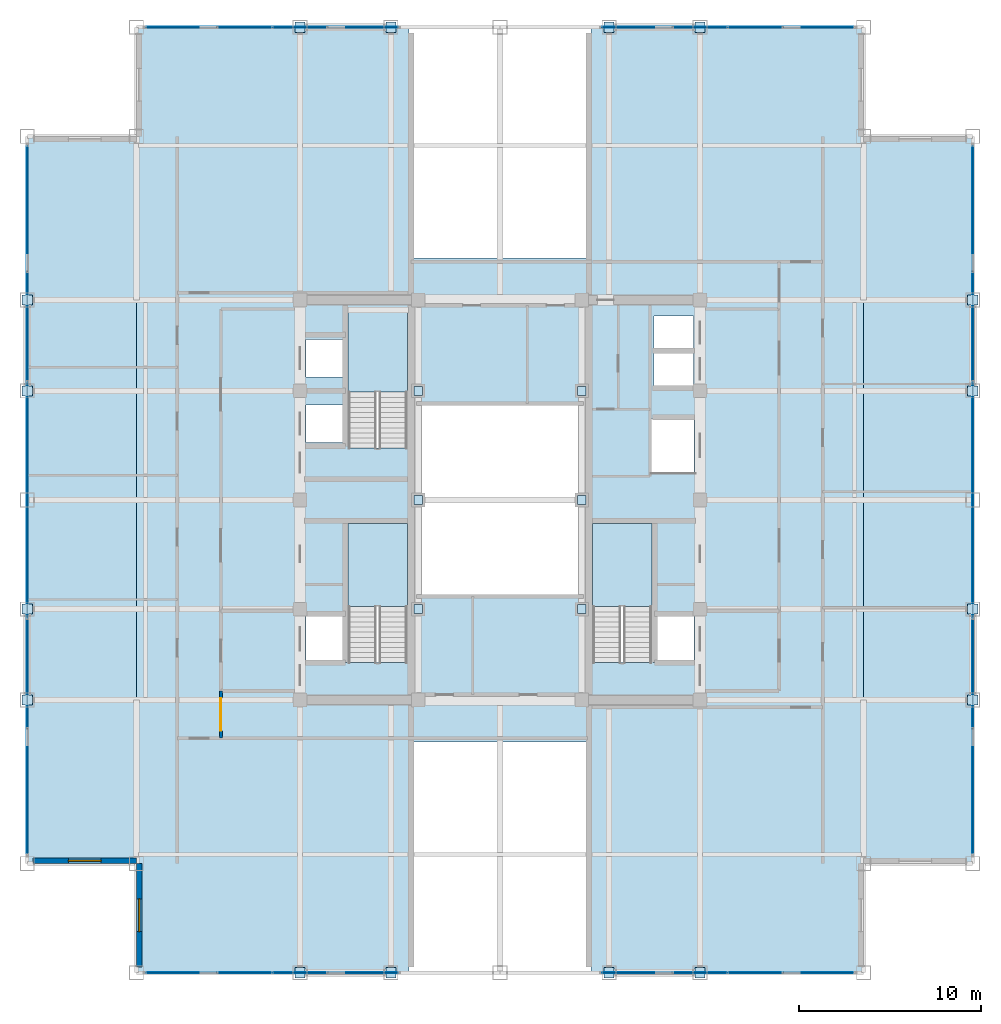
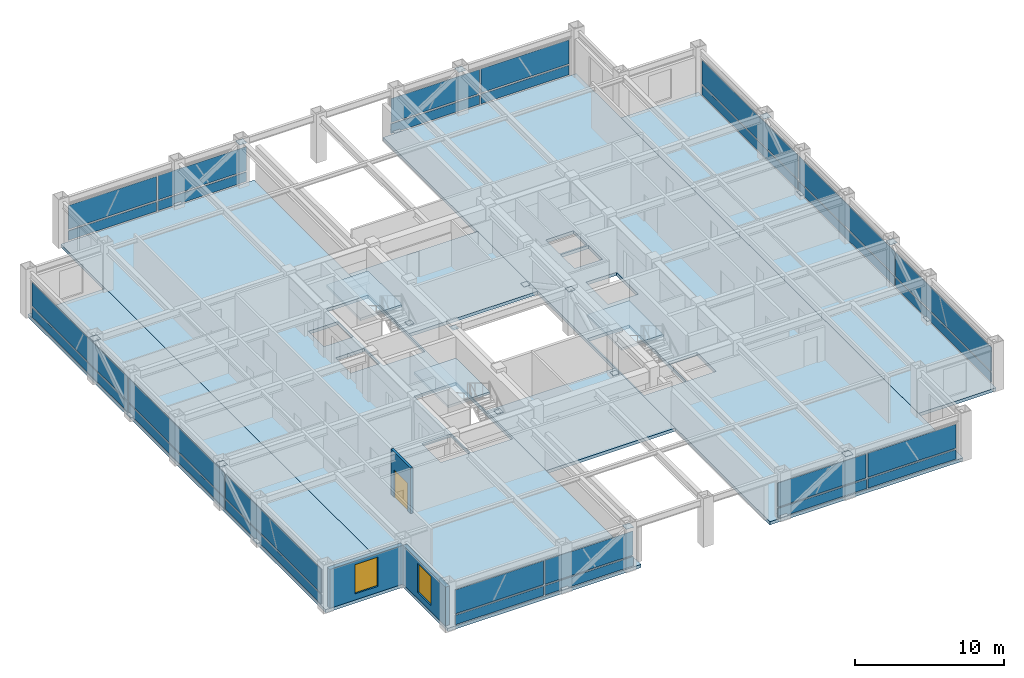
# One storey, part 24 of 29: 50 plates, 9 slabs, 3 walls, 2 windows, 1 door, 3 openings, 9 elements without a shape of their own.
"""IFC4 building model written with IfcOpenShell, lengths in metres."""

from ifc_helpers import new_model, si_unit, direction, frame, frame_2d, origin, origin_2d, place, context, subcontext, project, spatial, polyline, rectangle, outline, extrude, source, transform, mapped, material, layer, layer_set, type_object, element, fill, aggregate, save


model = new_model("IFC4")

# Units and contexts
model_context = context("Model", 3, precision=1e-05, world=origin(), true_north=direction((0.0, 1.0)))
body_context = subcontext(model_context, "Body", "Model", "MODEL_VIEW")
ifc_project = project(units=[si_unit("LENGTHUNIT", "METRE"), si_unit("AREAUNIT", "SQUARE_METRE"), si_unit("VOLUMEUNIT", "CUBIC_METRE"), si_unit("PLANEANGLEUNIT", "RADIAN"), si_unit("MASSUNIT", "GRAM", prefix="KILO")], contexts=[model_context])

# Site, building, storey
site_placement = place(None, origin())
site = spatial("IfcSite", under=ifc_project, at=site_placement, CompositionType="ELEMENT")
building_placement = place(site_placement, origin())
building = spatial("IfcBuilding", under=site, at=building_placement, Name="Khorayat Bourse Tower", CompositionType="ELEMENT")
storey_placement = place(building_placement, frame((0.0, 0.0, 354.300048828125)))
storey = spatial("IfcBuildingStorey", under=building, at=storey_placement, Name="L84", CompositionType="ELEMENT", Elevation=354.300048828125)

# Stair, slab
ifc_material_1 = material(Name="Concrete C40/50", Category="concrete")
stair_type = type_object("IfcStairType", Name="STR-CORE-1550", PredefinedType="HALF_TURN_STAIR", material=ifc_material_1)
stair_1_placement = place(storey_placement, origin())
stair_1 = element("IfcStair", 1, at=stair_1_placement, inside=storey, type_object=stair_type, Name="L84 Exit Stair ST-1", PredefinedType="HALF_TURN_STAIR")
ifc_layer_1 = layer(ifc_material_1, 0.199951171875)
ifc_layer_set_1 = layer_set([ifc_layer_1], Name="Concrete C40/50")
slab_type_1 = type_object("IfcSlabType", Name="SLB-LANDING-200", PredefinedType="LANDING", material=ifc_layer_set_1)
slab_1_placement = place(storey_placement, frame((0.0, 0.0, 1.800048828125)))
slab_1 = element("IfcSlab", 2, at=slab_1_placement, type_object=slab_type_1, Name="ST-1 landing 1", PredefinedType="LANDING", context=body_context, shape_type="SweptSolid", body=[
    extrude(outline(polyline([(-5.10009765625, -5.8701171875), (-5.10009765625, -1.300048828125), (-8.35009765625, -1.300048828125), (-8.35009765625, -5.8701171875), (-5.10009765625, -5.8701171875)])), origin(), (0.0, 0.0, 1.0), 0.199951171875),
])
aggregate(stair_1, [slab_1])

stair_2_placement = place(storey_placement, origin())
stair_2 = element("IfcStair", 3, at=stair_2_placement, inside=storey, type_object=stair_type, Name="L84 Exit Stair ST-2", PredefinedType="HALF_TURN_STAIR")
slab_2_placement = place(storey_placement, frame((0.0, 0.0, 1.800048828125)))
slab_2 = element("IfcSlab", 4, at=slab_2_placement, type_object=slab_type_1, Name="ST-2 landing 1", PredefinedType="LANDING", context=body_context, shape_type="SweptSolid", body=[
    extrude(outline(polyline([(-5.10009765625, 5.929931640625), (-5.10009765625, 10.5), (-8.35009765625, 10.5), (-8.35009765625, 5.929931640625), (-5.10009765625, 5.929931640625)])), origin(), (0.0, 0.0, 1.0), 0.199951171875),
])
aggregate(stair_2, [slab_2])

stair_3_placement = place(storey_placement, origin())
stair_3 = element("IfcStair", 5, at=stair_3_placement, inside=storey, type_object=stair_type, Name="L84 Exit Stair ST-3", PredefinedType="HALF_TURN_STAIR")
slab_3_placement = place(storey_placement, frame((0.0, 0.0, 1.800048828125)))
slab_3 = element("IfcSlab", 6, at=slab_3_placement, type_object=slab_type_1, Name="ST-3 landing 1", PredefinedType="LANDING", context=body_context, shape_type="SweptSolid", body=[
    extrude(outline(polyline([(8.35009765625, -5.8701171875), (8.35009765625, -1.300048828125), (5.10009765625, -1.300048828125), (5.10009765625, -5.8701171875), (8.35009765625, -5.8701171875)])), origin(), (0.0, 0.0, 1.0), 0.199951171875),
])
aggregate(stair_3, [slab_3])

# Slabs
ifc_layer_2 = layer(ifc_material_1, 0.260009765625)
ifc_layer_set_2 = layer_set([ifc_layer_2], Name="Concrete C40/50")
slab_type_2 = type_object("IfcSlabType", Name="SLB-TRADE-260", PredefinedType="FLOOR", material=ifc_layer_set_2)
slab_4_placement = place(storey_placement, frame((0.0, 0.0, -0.260009765625)))
element("IfcSlab", 7, at=slab_4_placement, inside=storey, type_object=slab_type_2, Name="L84 Portal Wing Floor Slab W-MAIN", PredefinedType="FLOOR", context=body_context, shape_type="SweptSolid", body=[
    extrude(outline(polyline([(-20.0, -26.0), (-5.0, -26.0), (-5.0, 26.0), (-20.0, 26.0), (-20.0, -26.0)]), holes=[polyline([(-8.35009765625, -8.945068359375), (-5.10009765625, -8.945068359375), (-5.10009765625, -1.300048828125), (-8.35009765625, -1.300048828125), (-8.35009765625, -8.945068359375)]), polyline([(-8.35009765625, 2.85498046875), (-5.10009765625, 2.85498046875), (-5.10009765625, 10.5), (-8.35009765625, 10.5), (-8.35009765625, 2.85498046875)]), polyline([(-10.679931640625, 3.169921875), (-8.419921875, 3.169921875), (-8.419921875, 5.22998046875), (-10.679931640625, 5.22998046875), (-10.679931640625, 3.169921875)]), polyline([(-10.679931640625, 6.77001953125), (-8.419921875, 6.77001953125), (-8.419921875, 8.830078125), (-10.679931640625, 8.830078125), (-10.679931640625, 6.77001953125)]), polyline([(-10.679931640625, -8.929931640625), (-8.419921875, -8.929931640625), (-8.419921875, -6.3701171875), (-10.679931640625, -6.3701171875), (-10.679931640625, -8.929931640625)])]), origin(), (0.0, 0.0, 1.0), 0.260009765625),
])
slab_5_placement = place(storey_placement, frame((0.0, 0.0, -0.260009765625)))
element("IfcSlab", 8, at=slab_5_placement, inside=storey, type_object=slab_type_2, Name="L84 Portal Wing Floor Slab W-FLG", PredefinedType="FLOOR", context=body_context, shape_type="SweptSolid", body=[
    extrude(outline(polyline([(-26.0, -20.0), (-20.0, -20.0), (-20.0, 20.0), (-26.0, 20.0), (-26.0, -20.0)])), origin(), (0.0, 0.0, 1.0), 0.260009765625),
])
slab_6_placement = place(storey_placement, frame((0.0, 0.0, -0.260009765625)))
element("IfcSlab", 9, at=slab_6_placement, inside=storey, type_object=slab_type_2, Name="L84 Portal Wing Floor Slab E-MAIN", PredefinedType="FLOOR", context=body_context, shape_type="SweptSolid", body=[
    extrude(outline(polyline([(5.0, -26.0), (20.0, -26.0), (20.0, 26.0), (5.0, 26.0), (5.0, -26.0)]), holes=[polyline([(5.10009765625, -8.945068359375), (8.35009765625, -8.945068359375), (8.35009765625, -1.300048828125), (5.10009765625, -1.300048828125), (5.10009765625, -8.945068359375)]), polyline([(8.469970703125, 6.27001953125), (10.6298828125, 6.27001953125), (10.6298828125, 8.1298828125), (8.469970703125, 8.1298828125), (8.469970703125, 6.27001953125)]), polyline([(8.469970703125, 8.27001953125), (10.6298828125, 8.27001953125), (10.6298828125, 10.1298828125), (8.469970703125, 10.1298828125), (8.469970703125, 8.27001953125)]), polyline([(8.419921875, -8.929931640625), (10.679931640625, -8.929931640625), (10.679931640625, -6.3701171875), (8.419921875, -6.3701171875), (8.419921875, -8.929931640625)]), polyline([(8.320068359375, 1.52001953125), (10.679931640625, 1.52001953125), (10.679931640625, 4.47998046875), (8.320068359375, 4.47998046875), (8.320068359375, 1.52001953125)])]), origin(), (0.0, 0.0, 1.0), 0.260009765625),
])
slab_7_placement = place(storey_placement, frame((0.0, 0.0, -0.260009765625)))
element("IfcSlab", 10, at=slab_7_placement, inside=storey, type_object=slab_type_2, Name="L84 Portal Wing Floor Slab E-FLG", PredefinedType="FLOOR", context=body_context, shape_type="SweptSolid", body=[
    extrude(outline(polyline([(20.0, -20.0), (26.0, -20.0), (26.0, 20.0), (20.0, 20.0), (20.0, -20.0)])), origin(), (0.0, 0.0, 1.0), 0.260009765625),
])
slab_8_placement = place(storey_placement, frame((0.0, 0.0, -0.260009765625)))
element("IfcSlab", 11, at=slab_8_placement, inside=storey, type_object=slab_type_2, Name="L84 Portal Wing Floor Slab BRG-S", PredefinedType="FLOOR", context=body_context, shape_type="SweptSolid", body=[
    extrude(outline(polyline([(-5.0, -13.300048828125), (5.0, -13.300048828125), (5.0, -5.199951171875), (-5.0, -5.199951171875), (-5.0, -13.300048828125)])), origin(), (0.0, 0.0, 1.0), 0.260009765625),
])
slab_9_placement = place(storey_placement, frame((0.0, 0.0, -0.260009765625)))
element("IfcSlab", 12, at=slab_9_placement, inside=storey, type_object=slab_type_2, Name="L84 Portal Wing Floor Slab BRG-N", PredefinedType="FLOOR", context=body_context, shape_type="SweptSolid", body=[
    extrude(outline(polyline([(-5.0, 5.199951171875), (5.0, 5.199951171875), (5.0, 13.300048828125), (-5.0, 13.300048828125), (-5.0, 5.199951171875)])), origin(), (0.0, 0.0, 1.0), 0.260009765625),
])

# Plates
ifc_material_2 = material(Name="Steel EN 10025-2 S355J2", Category="steel")
ifc_layer_3 = layer(ifc_material_2, 0.02490234375)
ifc_layer_set_3 = layer_set([ifc_layer_3], Name="Steel EN 10025-2 S355J2")
plate_type_1 = type_object("IfcPlateType", Name="PLT-ENDCAP-25", PredefinedType="SHEET", material=ifc_layer_set_3)
shared_shape_1 = source(origin(), body_context, "Body", "SweptSolid", [
    extrude(rectangle(XDim=0.56005859375, YDim=0.56005859375, at=origin_2d()), origin(), (0.0, 0.0, 1.0), 0.02490234375),
])
for number, where, z_axis, x_axis, name in (
    (13, (-11.0, -26.0, 0.237548828125), (0.0, 0.0, 1.0), (1.0, 0.0, 0.0), "L84 Perimeter Brace End Plate 001"),
    (14, (-6.0, -26.0, 3.4775390625), (0.0, 0.0, 1.0), (1.0, 0.0, 0.0), "L84 Perimeter Brace End Plate 002"),
    (15, (6.0, -26.0, 0.237548828125), (0.0, 0.0, 1.0), (1.0, 0.0, 0.0), "L84 Perimeter Brace End Plate 003"),
    (16, (11.0, -26.0, 3.4775390625), (0.0, 0.0, 1.0), (1.0, 0.0, 0.0), "L84 Perimeter Brace End Plate 004"),
    (17, (-11.0, 26.0, 0.237548828125), (0.0, 0.0, 1.0), (1.0, 0.0, 0.0), "L84 Perimeter Brace End Plate 005"),
    (18, (-6.0, 26.0, 3.4775390625), (0.0, 0.0, 1.0), (1.0, 0.0, 0.0), "L84 Perimeter Brace End Plate 006"),
    (19, (6.0, 26.0, 0.237548828125), (0.0, 0.0, 1.0), (1.0, 0.0, 0.0), "L84 Perimeter Brace End Plate 007"),
    (20, (11.0, 26.0, 3.4775390625), (0.0, 0.0, 1.0), (1.0, 0.0, 0.0), "L84 Perimeter Brace End Plate 008"),
    (21, (-26.0, -11.0, 0.237548828125), (0.0, 0.0, 1.0), (1.0, 0.0, 0.0), "L84 Perimeter Brace End Plate 009"),
    (22, (-26.0, -6.0, 3.4775390625), (0.0, 0.0, 1.0), (1.0, 0.0, 0.0), "L84 Perimeter Brace End Plate 010"),
    (23, (-26.0, 6.0, 0.237548828125), (0.0, 0.0, 1.0), (1.0, 0.0, 0.0), "L84 Perimeter Brace End Plate 011"),
    (24, (-26.0, 11.0, 3.4775390625), (0.0, 0.0, 1.0), (1.0, 0.0, 0.0), "L84 Perimeter Brace End Plate 012"),
    (25, (26.0, -11.0, 0.237548828125), (0.0, 0.0, 1.0), (1.0, 0.0, 0.0), "L84 Perimeter Brace End Plate 013"),
    (26, (26.0, -6.0, 3.4775390625), (0.0, 0.0, 1.0), (1.0, 0.0, 0.0), "L84 Perimeter Brace End Plate 014"),
    (27, (26.0, 6.0, 0.237548828125), (0.0, 0.0, 1.0), (1.0, 0.0, 0.0), "L84 Perimeter Brace End Plate 015"),
    (28, (26.0, 11.0, 3.4775390625), (0.0, 0.0, 1.0), (1.0, 0.0, 0.0), "L84 Perimeter Brace End Plate 016"),
):
    element("IfcPlate", number, at=place(storey_placement, frame(where, z_axis=z_axis, x_axis=x_axis)), inside=storey, type_object=plate_type_1, Name=name, PredefinedType="SHEET", context=body_context, shape_type="MappedRepresentation", body=[
        mapped(shared_shape_1, transform((0.0, 0.0, 0.0), scale=1.0)),
    ])
shared_shape_2 = source(origin(), body_context, "Body", "SweptSolid", [
    extrude(rectangle(XDim=0.47998046875, YDim=0.47998046875, at=origin_2d()), origin(), (0.0, 0.0, 1.0), 0.02490234375),
])
for number, where, z_axis, x_axis, name in (
    (29, (-4.5, -6.0, 0.237548828125), (0.0, 0.0, 1.0), (1.0, 0.0, 0.0), "L84 Wind Portal Strut End Plate 017"),
    (30, (-4.5, 0.0, 3.4775390625), (0.0, 0.0, 1.0), (1.0, 0.0, 0.0), "L84 Wind Portal Strut End Plate 018"),
    (31, (-4.5, 6.0, 0.237548828125), (0.0, 0.0, 1.0), (1.0, 0.0, 0.0), "L84 Wind Portal Strut End Plate 019"),
    (32, (4.5, -6.0, 0.237548828125), (0.0, 0.0, 1.0), (1.0, 0.0, 0.0), "L84 Wind Portal Strut End Plate 020"),
    (33, (4.5, 0.0, 3.4775390625), (0.0, 0.0, 1.0), (1.0, 0.0, 0.0), "L84 Wind Portal Strut End Plate 021"),
    (34, (4.5, 6.0, 0.237548828125), (0.0, 0.0, 1.0), (1.0, 0.0, 0.0), "L84 Wind Portal Strut End Plate 022"),
):
    element("IfcPlate", number, at=place(storey_placement, frame(where, z_axis=z_axis, x_axis=x_axis)), inside=storey, type_object=plate_type_1, Name=name, PredefinedType="SHEET", context=body_context, shape_type="MappedRepresentation", body=[
        mapped(shared_shape_2, transform((0.0, 0.0, 0.0), scale=1.0)),
    ])

# Curtain wall, plates
ifc_material_3 = material(Name="Aluminium EN AW-6063 T6", Category="aluminium")
curtain_wall_type = type_object("IfcCurtainWallType", Name="CW-SYS-06", PredefinedType="NOTDEFINED", material=ifc_material_3)
curtain_wall_1_placement = place(storey_placement, origin())
curtain_wall_1 = element("IfcCurtainWall", 35, at=curtain_wall_1_placement, inside=storey, type_object=curtain_wall_type, Name="L84 Curtain Wall CW-L84-S1", PredefinedType="NOTDEFINED")
ifc_material_4 = material(Name="Honed desert limestone insulated spandrel", Category="masonry")
ifc_layer_4 = layer(ifc_material_4, 0.06494140625)
ifc_layer_set_4 = layer_set([ifc_layer_4], Name="Honed desert limestone insulated spandrel")
plate_type_2 = type_object("IfcPlateType", Name="CWP-SPAND-03", PredefinedType="CURTAIN_PANEL", material=ifc_layer_set_4)
shared_shape_3 = source(origin(), body_context, "Body", "SweptSolid", [
    extrude(rectangle(XDim=6.844970703125, YDim=0.06494140625, at=origin_2d()), origin(), (0.0, 0.0, 1.0), 0.77001953125),
])
plate_1_placement = place(storey_placement, frame((-16.007568359375, -26.0, 0.119873046875), z_axis=(0.0, 0.0, 1.0), x_axis=(1.0, 0.0, 0.0)))
plate_1 = element("IfcPlate", 36, at=plate_1_placement, type_object=plate_type_2, Name="CW-L84-S1 Spandrel Panel 1-1", PredefinedType="CURTAIN_PANEL", context=body_context, shape_type="MappedRepresentation", body=[
    mapped(shared_shape_3, transform((0.0, 0.0, 0.0), scale=1.0)),
])
plate_2_placement = place(storey_placement, frame((-9.04248046875, -26.0, 0.119873046875), z_axis=(0.0, 0.0, 1.0), x_axis=(1.0, 0.0, 0.0)))
plate_2 = element("IfcPlate", 37, at=plate_2_placement, type_object=plate_type_2, Name="CW-L84-S1 Spandrel Panel 2-1", PredefinedType="CURTAIN_PANEL", context=body_context, shape_type="MappedRepresentation", body=[
    mapped(shared_shape_3, transform((0.0, 0.0, 0.0), scale=1.0)),
])

curtain_wall_2_placement = place(storey_placement, origin())
curtain_wall_2 = element("IfcCurtainWall", 38, at=curtain_wall_2_placement, inside=storey, type_object=curtain_wall_type, Name="L84 Curtain Wall CW-L84-S2", PredefinedType="NOTDEFINED")
plate_3_placement = place(storey_placement, frame((9.04248046875, -26.0, 0.119873046875), z_axis=(0.0, 0.0, 1.0), x_axis=(1.0, 0.0, 0.0)))
plate_3 = element("IfcPlate", 39, at=plate_3_placement, type_object=plate_type_2, Name="CW-L84-S2 Spandrel Panel 1-1", PredefinedType="CURTAIN_PANEL", context=body_context, shape_type="MappedRepresentation", body=[
    mapped(shared_shape_3, transform((0.0, 0.0, 0.0), scale=1.0)),
])
plate_4_placement = place(storey_placement, frame((16.007568359375, -26.0, 0.119873046875), z_axis=(0.0, 0.0, 1.0), x_axis=(1.0, 0.0, 0.0)))
plate_4 = element("IfcPlate", 40, at=plate_4_placement, type_object=plate_type_2, Name="CW-L84-S2 Spandrel Panel 2-1", PredefinedType="CURTAIN_PANEL", context=body_context, shape_type="MappedRepresentation", body=[
    mapped(shared_shape_3, transform((0.0, 0.0, 0.0), scale=1.0)),
])

curtain_wall_3_placement = place(storey_placement, origin())
curtain_wall_3 = element("IfcCurtainWall", 41, at=curtain_wall_3_placement, inside=storey, type_object=curtain_wall_type, Name="L84 Curtain Wall CW-L84-N1", PredefinedType="NOTDEFINED")
plate_5_placement = place(storey_placement, frame((-9.04248046875, 26.0, 0.119873046875), z_axis=(0.0, 0.0, 1.0), x_axis=(-1.0, 0.0, 0.0)))
plate_5 = element("IfcPlate", 42, at=plate_5_placement, type_object=plate_type_2, Name="CW-L84-N1 Spandrel Panel 1-1", PredefinedType="CURTAIN_PANEL", context=body_context, shape_type="MappedRepresentation", body=[
    mapped(shared_shape_3, transform((0.0, 0.0, 0.0), scale=1.0)),
])
plate_6_placement = place(storey_placement, frame((-16.007568359375, 26.0, 0.119873046875), z_axis=(0.0, 0.0, 1.0), x_axis=(-1.0, 0.0, 0.0)))
plate_6 = element("IfcPlate", 43, at=plate_6_placement, type_object=plate_type_2, Name="CW-L84-N1 Spandrel Panel 2-1", PredefinedType="CURTAIN_PANEL", context=body_context, shape_type="MappedRepresentation", body=[
    mapped(shared_shape_3, transform((0.0, 0.0, 0.0), scale=1.0)),
])

curtain_wall_4_placement = place(storey_placement, origin())
curtain_wall_4 = element("IfcCurtainWall", 44, at=curtain_wall_4_placement, inside=storey, type_object=curtain_wall_type, Name="L84 Curtain Wall CW-L84-N2", PredefinedType="NOTDEFINED")
plate_7_placement = place(storey_placement, frame((16.007568359375, 26.0, 0.119873046875), z_axis=(0.0, 0.0, 1.0), x_axis=(-1.0, 0.0, 0.0)))
plate_7 = element("IfcPlate", 45, at=plate_7_placement, type_object=plate_type_2, Name="CW-L84-N2 Spandrel Panel 1-1", PredefinedType="CURTAIN_PANEL", context=body_context, shape_type="MappedRepresentation", body=[
    mapped(shared_shape_3, transform((0.0, 0.0, 0.0), scale=1.0)),
])
plate_8_placement = place(storey_placement, frame((9.04248046875, 26.0, 0.119873046875), z_axis=(0.0, 0.0, 1.0), x_axis=(-1.0, 0.0, 0.0)))
plate_8 = element("IfcPlate", 46, at=plate_8_placement, type_object=plate_type_2, Name="CW-L84-N2 Spandrel Panel 2-1", PredefinedType="CURTAIN_PANEL", context=body_context, shape_type="MappedRepresentation", body=[
    mapped(shared_shape_3, transform((0.0, 0.0, 0.0), scale=1.0)),
])

# Plate
ifc_material_5 = material(Name="Low-E solar-control laminated double glazing", Category="glass")
ifc_layer_5 = layer(ifc_material_5, 0.0419921875)
ifc_layer_set_5 = layer_set([ifc_layer_5], Name="Low-E solar-control laminated double glazing")
plate_type_3 = type_object("IfcPlateType", Name="CWP-FACET-02", PredefinedType="CURTAIN_PANEL", material=ifc_layer_set_5)
shared_shape_4 = source(origin(), body_context, "Body", "SweptSolid", [
    extrude(rectangle(XDim=6.844970703125, YDim=0.0419921875, at=origin_2d()), origin(), (0.0, 0.0, 1.0), 1.9599609375),
])
plate_9_placement = place(storey_placement, frame((-16.007568359375, -26.0, 1.010009765625), z_axis=(0.0, 0.0, 1.0), x_axis=(1.0, 0.0, 0.0)))
plate_9 = element("IfcPlate", 47, at=plate_9_placement, type_object=plate_type_3, Name="CW-L84-S1 Vision Panel 1-2", PredefinedType="CURTAIN_PANEL", context=body_context, shape_type="MappedRepresentation", body=[
    mapped(shared_shape_4, transform((0.0, 0.0, 0.0), scale=1.0)),
])

plate_10_placement = place(storey_placement, frame((-9.04248046875, -26.0, 1.010009765625), z_axis=(0.0, 0.0, 1.0), x_axis=(1.0, 0.0, 0.0)))
plate_10 = element("IfcPlate", 48, at=plate_10_placement, type_object=plate_type_3, Name="CW-L84-S1 Vision Panel 2-2", PredefinedType="CURTAIN_PANEL", context=body_context, shape_type="MappedRepresentation", body=[
    mapped(shared_shape_4, transform((0.0, 0.0, 0.0), scale=1.0)),
])

aggregate(curtain_wall_1, [plate_1, plate_9, plate_2, plate_10])

plate_11_placement = place(storey_placement, frame((9.04248046875, -26.0, 1.010009765625), z_axis=(0.0, 0.0, 1.0), x_axis=(1.0, 0.0, 0.0)))
plate_11 = element("IfcPlate", 49, at=plate_11_placement, type_object=plate_type_3, Name="CW-L84-S2 Vision Panel 1-2", PredefinedType="CURTAIN_PANEL", context=body_context, shape_type="MappedRepresentation", body=[
    mapped(shared_shape_4, transform((0.0, 0.0, 0.0), scale=1.0)),
])

plate_12_placement = place(storey_placement, frame((16.007568359375, -26.0, 1.010009765625), z_axis=(0.0, 0.0, 1.0), x_axis=(1.0, 0.0, 0.0)))
plate_12 = element("IfcPlate", 50, at=plate_12_placement, type_object=plate_type_3, Name="CW-L84-S2 Vision Panel 2-2", PredefinedType="CURTAIN_PANEL", context=body_context, shape_type="MappedRepresentation", body=[
    mapped(shared_shape_4, transform((0.0, 0.0, 0.0), scale=1.0)),
])

aggregate(curtain_wall_2, [plate_3, plate_11, plate_4, plate_12])

plate_13_placement = place(storey_placement, frame((-9.04248046875, 26.0, 1.010009765625), z_axis=(0.0, 0.0, 1.0), x_axis=(-1.0, 0.0, 0.0)))
plate_13 = element("IfcPlate", 51, at=plate_13_placement, type_object=plate_type_3, Name="CW-L84-N1 Vision Panel 1-2", PredefinedType="CURTAIN_PANEL", context=body_context, shape_type="MappedRepresentation", body=[
    mapped(shared_shape_4, transform((0.0, 0.0, 0.0), scale=1.0)),
])

plate_14_placement = place(storey_placement, frame((-16.007568359375, 26.0, 1.010009765625), z_axis=(0.0, 0.0, 1.0), x_axis=(-1.0, 0.0, 0.0)))
plate_14 = element("IfcPlate", 52, at=plate_14_placement, type_object=plate_type_3, Name="CW-L84-N1 Vision Panel 2-2", PredefinedType="CURTAIN_PANEL", context=body_context, shape_type="MappedRepresentation", body=[
    mapped(shared_shape_4, transform((0.0, 0.0, 0.0), scale=1.0)),
])

aggregate(curtain_wall_3, [plate_5, plate_13, plate_6, plate_14])

plate_15_placement = place(storey_placement, frame((16.007568359375, 26.0, 1.010009765625), z_axis=(0.0, 0.0, 1.0), x_axis=(-1.0, 0.0, 0.0)))
plate_15 = element("IfcPlate", 53, at=plate_15_placement, type_object=plate_type_3, Name="CW-L84-N2 Vision Panel 1-2", PredefinedType="CURTAIN_PANEL", context=body_context, shape_type="MappedRepresentation", body=[
    mapped(shared_shape_4, transform((0.0, 0.0, 0.0), scale=1.0)),
])

plate_16_placement = place(storey_placement, frame((9.04248046875, 26.0, 1.010009765625), z_axis=(0.0, 0.0, 1.0), x_axis=(-1.0, 0.0, 0.0)))
plate_16 = element("IfcPlate", 54, at=plate_16_placement, type_object=plate_type_3, Name="CW-L84-N2 Vision Panel 2-2", PredefinedType="CURTAIN_PANEL", context=body_context, shape_type="MappedRepresentation", body=[
    mapped(shared_shape_4, transform((0.0, 0.0, 0.0), scale=1.0)),
])

aggregate(curtain_wall_4, [plate_7, plate_15, plate_8, plate_16])

# Curtain wall, plates
curtain_wall_5_placement = place(storey_placement, origin())
curtain_wall_5 = element("IfcCurtainWall", 55, at=curtain_wall_5_placement, inside=storey, type_object=curtain_wall_type, Name="L84 Curtain Wall CW-L84-W1", PredefinedType="NOTDEFINED")
shared_shape_5 = source(origin(), body_context, "Body", "SweptSolid", [
    extrude(rectangle(XDim=12.853271484375, YDim=0.06494140625, at=origin_2d()), origin(), (0.0, 0.0, 1.0), 0.77001953125),
])
plate_17_placement = place(storey_placement, frame((-26.0, 13.00341796875, 0.119873046875), z_axis=(0.0, 0.0, 1.0), x_axis=(0.0, -1.0, 0.0)))
plate_17 = element("IfcPlate", 56, at=plate_17_placement, type_object=plate_type_2, Name="CW-L84-W1 Spandrel Panel 1-1", PredefinedType="CURTAIN_PANEL", context=body_context, shape_type="MappedRepresentation", body=[
    mapped(shared_shape_5, transform((0.0, 0.0, 0.0), scale=1.0)),
])
plate_18_placement = place(storey_placement, frame((-26.0, -13.00341796875, 0.119873046875), z_axis=(0.0, 0.0, 1.0), x_axis=(0.0, -1.0, 0.0)))
plate_18 = element("IfcPlate", 57, at=plate_18_placement, type_object=plate_type_2, Name="CW-L84-W1 Spandrel Panel 3-1", PredefinedType="CURTAIN_PANEL", context=body_context, shape_type="MappedRepresentation", body=[
    mapped(shared_shape_5, transform((0.0, 0.0, 0.0), scale=1.0)),
])

curtain_wall_6_placement = place(storey_placement, origin())
curtain_wall_6 = element("IfcCurtainWall", 58, at=curtain_wall_6_placement, inside=storey, type_object=curtain_wall_type, Name="L84 Curtain Wall CW-L84-E1", PredefinedType="NOTDEFINED")
plate_19_placement = place(storey_placement, frame((26.0, -13.00341796875, 0.119873046875), z_axis=(0.0, 0.0, 1.0), x_axis=(0.0, 1.0, 0.0)))
plate_19 = element("IfcPlate", 59, at=plate_19_placement, type_object=plate_type_2, Name="CW-L84-E1 Spandrel Panel 1-1", PredefinedType="CURTAIN_PANEL", context=body_context, shape_type="MappedRepresentation", body=[
    mapped(shared_shape_5, transform((0.0, 0.0, 0.0), scale=1.0)),
])
plate_20_placement = place(storey_placement, frame((26.0, 13.00341796875, 0.119873046875), z_axis=(0.0, 0.0, 1.0), x_axis=(0.0, 1.0, 0.0)))
plate_20 = element("IfcPlate", 60, at=plate_20_placement, type_object=plate_type_2, Name="CW-L84-E1 Spandrel Panel 3-1", PredefinedType="CURTAIN_PANEL", context=body_context, shape_type="MappedRepresentation", body=[
    mapped(shared_shape_5, transform((0.0, 0.0, 0.0), scale=1.0)),
])

# Plate
shared_shape_6 = source(origin(), body_context, "Body", "SweptSolid", [
    extrude(rectangle(XDim=12.853271484375, YDim=0.0419921875, at=origin_2d()), origin(), (0.0, 0.0, 1.0), 1.9599609375),
])
plate_21_placement = place(storey_placement, frame((-26.0, 13.00341796875, 1.010009765625), z_axis=(0.0, 0.0, 1.0), x_axis=(0.0, -1.0, 0.0)))
plate_21 = element("IfcPlate", 61, at=plate_21_placement, type_object=plate_type_3, Name="CW-L84-W1 Vision Panel 1-2", PredefinedType="CURTAIN_PANEL", context=body_context, shape_type="MappedRepresentation", body=[
    mapped(shared_shape_6, transform((0.0, 0.0, 0.0), scale=1.0)),
])

plate_22_placement = place(storey_placement, frame((-26.0, -13.00341796875, 1.010009765625), z_axis=(0.0, 0.0, 1.0), x_axis=(0.0, -1.0, 0.0)))
plate_22 = element("IfcPlate", 62, at=plate_22_placement, type_object=plate_type_3, Name="CW-L84-W1 Vision Panel 3-2", PredefinedType="CURTAIN_PANEL", context=body_context, shape_type="MappedRepresentation", body=[
    mapped(shared_shape_6, transform((0.0, 0.0, 0.0), scale=1.0)),
])

plate_23_placement = place(storey_placement, frame((26.0, -13.00341796875, 1.010009765625), z_axis=(0.0, 0.0, 1.0), x_axis=(0.0, 1.0, 0.0)))
plate_23 = element("IfcPlate", 63, at=plate_23_placement, type_object=plate_type_3, Name="CW-L84-E1 Vision Panel 1-2", PredefinedType="CURTAIN_PANEL", context=body_context, shape_type="MappedRepresentation", body=[
    mapped(shared_shape_6, transform((0.0, 0.0, 0.0), scale=1.0)),
])

plate_24_placement = place(storey_placement, frame((26.0, 13.00341796875, 1.010009765625), z_axis=(0.0, 0.0, 1.0), x_axis=(0.0, 1.0, 0.0)))
plate_24 = element("IfcPlate", 64, at=plate_24_placement, type_object=plate_type_3, Name="CW-L84-E1 Vision Panel 3-2", PredefinedType="CURTAIN_PANEL", context=body_context, shape_type="MappedRepresentation", body=[
    mapped(shared_shape_6, transform((0.0, 0.0, 0.0), scale=1.0)),
])

shared_shape_7 = source(origin(), body_context, "Body", "SweptSolid", [
    extrude(rectangle(XDim=12.913330078125, YDim=0.06494140625, at=origin_2d()), origin(), (0.0, 0.0, 1.0), 0.77001953125),
])
plate_25_placement = place(storey_placement, frame((-26.0, 0.0, 0.119873046875), z_axis=(0.0, 0.0, 1.0), x_axis=(0.0, -1.0, 0.0)))
plate_25 = element("IfcPlate", 65, at=plate_25_placement, type_object=plate_type_2, Name="CW-L84-W1 Spandrel Panel 2-1", PredefinedType="CURTAIN_PANEL", context=body_context, shape_type="MappedRepresentation", body=[
    mapped(shared_shape_7, transform((0.0, 0.0, 0.0), scale=1.0)),
])

plate_26_placement = place(storey_placement, frame((26.0, 0.0, 0.119873046875), z_axis=(0.0, 0.0, 1.0), x_axis=(0.0, 1.0, 0.0)))
plate_26 = element("IfcPlate", 66, at=plate_26_placement, type_object=plate_type_2, Name="CW-L84-E1 Spandrel Panel 2-1", PredefinedType="CURTAIN_PANEL", context=body_context, shape_type="MappedRepresentation", body=[
    mapped(shared_shape_7, transform((0.0, 0.0, 0.0), scale=1.0)),
])

shared_shape_8 = source(origin(), body_context, "Body", "SweptSolid", [
    extrude(rectangle(XDim=12.913330078125, YDim=0.0419921875, at=origin_2d()), origin(), (0.0, 0.0, 1.0), 1.9599609375),
])
plate_27_placement = place(storey_placement, frame((-26.0, 0.0, 1.010009765625), z_axis=(0.0, 0.0, 1.0), x_axis=(0.0, -1.0, 0.0)))
plate_27 = element("IfcPlate", 67, at=plate_27_placement, type_object=plate_type_3, Name="CW-L84-W1 Vision Panel 2-2", PredefinedType="CURTAIN_PANEL", context=body_context, shape_type="MappedRepresentation", body=[
    mapped(shared_shape_8, transform((0.0, 0.0, 0.0), scale=1.0)),
])

aggregate(curtain_wall_5, [plate_17, plate_21, plate_25, plate_27, plate_18, plate_22])

plate_28_placement = place(storey_placement, frame((26.0, 0.0, 1.010009765625), z_axis=(0.0, 0.0, 1.0), x_axis=(0.0, 1.0, 0.0)))
plate_28 = element("IfcPlate", 68, at=plate_28_placement, type_object=plate_type_3, Name="CW-L84-E1 Vision Panel 2-2", PredefinedType="CURTAIN_PANEL", context=body_context, shape_type="MappedRepresentation", body=[
    mapped(shared_shape_8, transform((0.0, 0.0, 0.0), scale=1.0)),
])

aggregate(curtain_wall_6, [plate_19, plate_23, plate_26, plate_28, plate_20, plate_24])

# Wall, opening, window
ifc_material_6 = material(Name="Precast concrete C45/55", Category="concrete")
ifc_layer_6 = layer(ifc_material_6, 0.320068359375)
ifc_layer_set_6 = layer_set([ifc_layer_6], Name="Precast concrete C45/55")
wall_type_1 = type_object("IfcWallType", Name="WAL-EXT-STONE-320", PredefinedType="STANDARD", material=ifc_layer_set_6)
shared_shape_9 = source(origin(), body_context, "Body", "SweptSolid", [
    extrude(rectangle(XDim=5.679931640625, YDim=0.320068359375, at=frame_2d((2.83984375, 0.0))), origin(), (0.0, 0.0, 1.0), 3.19091796875),
])
wall_1_placement = place(storey_placement, frame((-20.0, -19.840087890625, 0.0), z_axis=(0.0, 0.0, 1.0), x_axis=(-1.0, 0.0, 0.0)))
wall_1 = element("IfcWall", 69, at=wall_1_placement, inside=storey, type_object=wall_type_1, Name="L84 Re-Entrant Notch Limestone Wall SW-H", PredefinedType="STANDARD", context=body_context, shape_type="MappedRepresentation", body=[
    mapped(shared_shape_9, transform((0.0, 0.0, 0.0), scale=1.0)),
])
shared_shape_10 = source(origin(), body_context, "Body", "SweptSolid", [
    extrude(rectangle(XDim=1.800048828125, YDim=2.39990234375, at=frame_2d((0.89990234375, 1.199951171875))), frame((0.0, 0.169921875, 0.0), z_axis=(0.0, -1.0, 0.0), x_axis=(1.0, 0.0, 0.0)), (0.0, 0.0, 1.0), 0.340087890625),
])
opening_1_placement = place(wall_1_placement, frame((1.93994140625, 0.0, 0.5)))
opening_1 = element("IfcOpeningElement", 70, at=opening_1_placement, cuts=wall_1, Name="Opening WN-04", PredefinedType="OPENING", context=body_context, shape_type="MappedRepresentation", body=[
    mapped(shared_shape_10, transform((0.0, 0.0, 0.0), scale=1.0)),
])
ifc_material_7 = material(Name="Low-E acoustic laminated double glazing", Category="glass")
window_type = type_object("IfcWindowType", Name="WIN-NOTCH-1800x2400", PartitioningType="SINGLE_PANEL", PredefinedType="WINDOW", material=ifc_material_7)
shared_shape_11 = source(origin(), body_context, "Body", "SweptSolid", [
    extrude(rectangle(XDim=1.800048828125, YDim=2.39990234375, at=frame_2d((0.89990234375, 1.199951171875))), frame((0.0, 0.030029296875, 0.0), z_axis=(0.0, -1.0, 0.0), x_axis=(1.0, 0.0, 0.0)), (0.0, 0.0, 1.0), 0.06005859375),
])
window_1_placement = place(opening_1_placement, origin())
window_1 = element("IfcWindow", 71, at=window_1_placement, inside=storey, type_object=window_type, Name="L84 Facade Window 1", OverallHeight=2.39990234375, OverallWidth=1.800048828125, PartitioningType="SINGLE_PANEL", PredefinedType="WINDOW", context=body_context, shape_type="MappedRepresentation", body=[
    mapped(shared_shape_11, transform((0.0, 0.0, 0.0), scale=1.0)),
])
fill(opening_1, window_1)

wall_2_placement = place(storey_placement, frame((-19.840087890625, -25.679931640625, 0.0), z_axis=(0.0, 0.0, 1.0), x_axis=(0.0, 1.0, 0.0)))
wall_2 = element("IfcWall", 72, at=wall_2_placement, inside=storey, type_object=wall_type_1, Name="L84 Re-Entrant Notch Limestone Wall SW-V", PredefinedType="STANDARD", context=body_context, shape_type="MappedRepresentation", body=[
    mapped(shared_shape_9, transform((0.0, 0.0, 0.0), scale=1.0)),
])
opening_2_placement = place(wall_2_placement, frame((1.93994140625, 0.0, 0.5)))
opening_2 = element("IfcOpeningElement", 73, at=opening_2_placement, cuts=wall_2, Name="Opening WN-04", PredefinedType="OPENING", context=body_context, shape_type="MappedRepresentation", body=[
    mapped(shared_shape_10, transform((0.0, 0.0, 0.0), scale=1.0)),
])
window_2_placement = place(opening_2_placement, origin())
window_2 = element("IfcWindow", 74, at=window_2_placement, inside=storey, type_object=window_type, Name="L84 Facade Window 1", OverallHeight=2.39990234375, OverallWidth=1.800048828125, PartitioningType="SINGLE_PANEL", PredefinedType="WINDOW", context=body_context, shape_type="MappedRepresentation", body=[
    mapped(shared_shape_11, transform((0.0, 0.0, 0.0), scale=1.0)),
])
fill(opening_2, window_2)

# Wall, opening, door
ifc_material_8 = material(Name="Gypsum plasterboard acoustic stud wall")
ifc_layer_7 = layer(ifc_material_8, 0.179931640625)
ifc_layer_set_7 = layer_set([ifc_layer_7], Name="Gypsum plasterboard acoustic stud wall")
wall_type_2 = type_object("IfcWallType", Name="WAL-PART-CORR-180", PredefinedType="PARTITIONING", material=ifc_layer_set_7)
shared_shape_12 = source(origin(), body_context, "Body", "SweptSolid", [
    extrude(rectangle(XDim=2.60009765625, YDim=0.179931640625, at=frame_2d((1.300048828125, 0.0))), origin(), (0.0, 0.0, 1.0), 3.739990234375),
])
wall_3_placement = place(storey_placement, frame((-15.35009765625, -13.10009765625, 0.0), z_axis=(0.0, 0.0, 1.0), x_axis=(0.0, 1.0, 0.0)))
wall_3 = element("IfcWall", 75, at=wall_3_placement, inside=storey, type_object=wall_type_2, Name="L84 Partition WAL-L84-WCSTUB-W", PredefinedType="PARTITIONING", context=body_context, shape_type="MappedRepresentation", body=[
    mapped(shared_shape_12, transform((0.0, 0.0, 0.0), scale=1.0)),
])
shared_shape_13 = source(origin(), body_context, "Body", "SweptSolid", [
    extrude(rectangle(XDim=1.800048828125, YDim=2.25, at=frame_2d((0.89990234375, 1.125))), frame((0.0, 0.099853515625, 0.0), z_axis=(0.0, -1.0, 0.0), x_axis=(1.0, 0.0, 0.0)), (0.0, 0.0, 1.0), 0.199951171875),
])
opening_3_placement = place(wall_3_placement, frame((0.39990234375, 0.0, 0.0)))
opening_3 = element("IfcOpeningElement", 76, at=opening_3_placement, cuts=wall_3, Name="Opening DI-03", PredefinedType="OPENING", context=body_context, shape_type="MappedRepresentation", body=[
    mapped(shared_shape_13, transform((0.0, 0.0, 0.0), scale=1.0)),
])
ifc_material_9 = material(Name="Fire-rated hardwood vision-panel double leaf", Category="wood")
door_type = type_object("IfcDoorType", Name="DR-INT-CORR-1800", OperationType="NOTDEFINED", PredefinedType="DOOR", material=ifc_material_9)
shared_shape_14 = source(origin(), body_context, "Body", "SweptSolid", [
    extrude(rectangle(XDim=1.800048828125, YDim=2.25, at=frame_2d((0.89990234375, 1.125))), frame((0.0, 0.02490234375, 0.0), z_axis=(0.0, -1.0, 0.0), x_axis=(1.0, 0.0, 0.0)), (0.0, 0.0, 1.0), 0.050048828125),
])
door_placement = place(opening_3_placement, origin())
door = element("IfcDoor", 77, at=door_placement, inside=storey, type_object=door_type, Name="L84 West Portal Bridge Corridor Door", OperationType="DOUBLE_DOOR_SINGLE_SWING", OverallHeight=2.25, OverallWidth=1.800048828125, PredefinedType="DOOR", context=body_context, shape_type="MappedRepresentation", body=[
    mapped(shared_shape_14, transform((0.0, 0.0, 0.0), scale=1.0)),
])
fill(opening_3, door)

save(model, "model.ifc")
